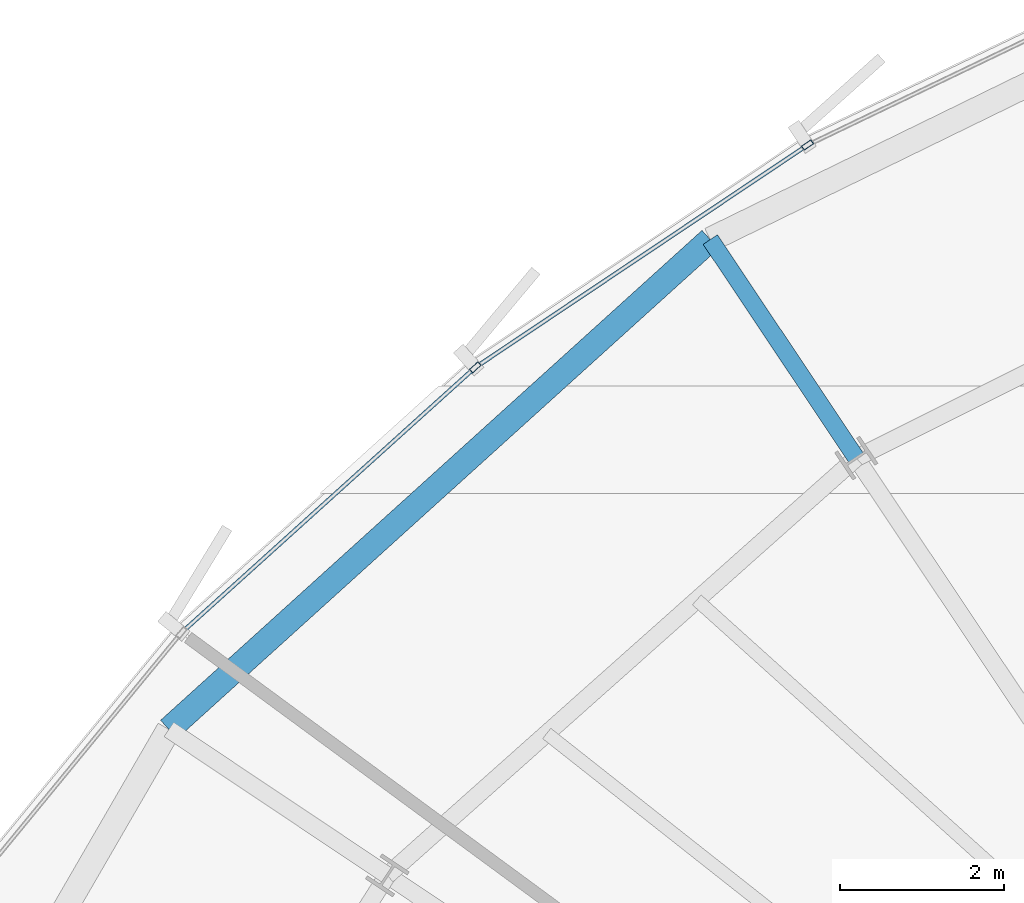
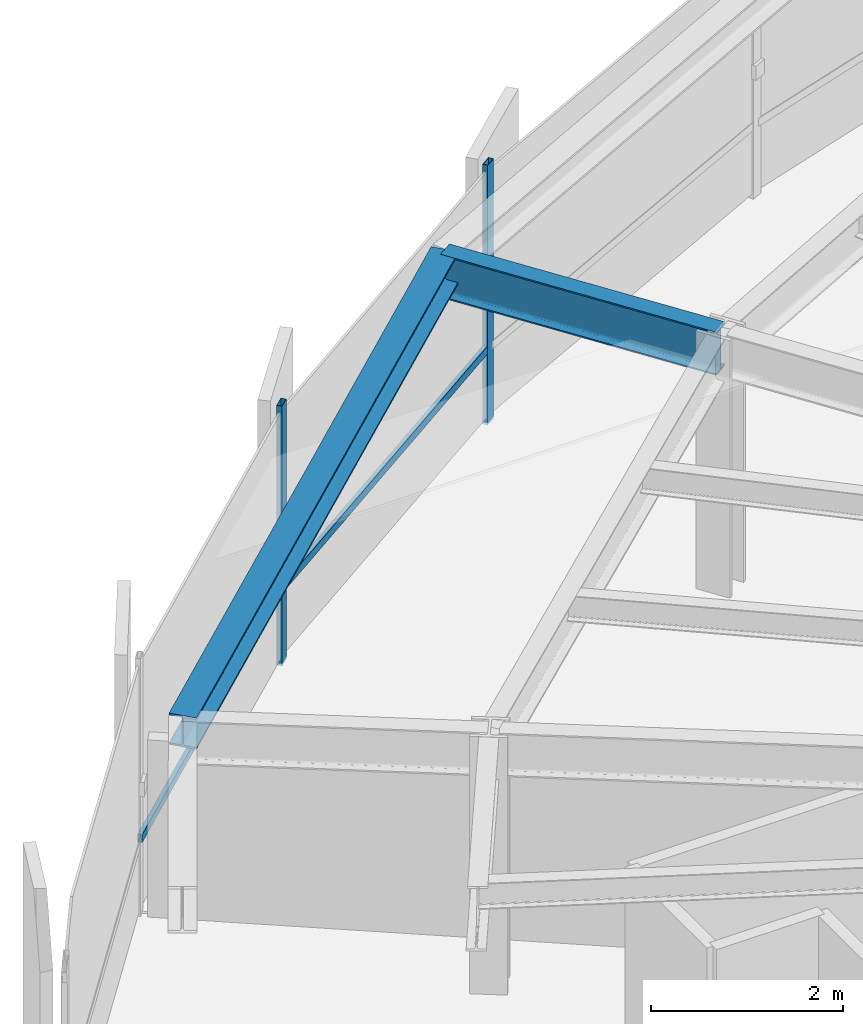
# One storey, part 19 of 34: 4 members, 2 beams, 1 element without a shape of its own.
"""IFC4 building model written with IfcOpenShell, lengths in metres."""

from ifc_helpers import new_model, si_unit, direction, frame, origin, origin_2d, place, context, subcontext, project, spatial, hollow_rectangle, i_section, extrude, source, transform, mapped, material, layer, layer_set, material_profile, profile_set, type_object, element, aggregate, save


model = new_model("IFC4")

# Units and contexts
model_context = context("Model", 3, precision=1e-05, world=origin(), true_north=direction((0.0, 1.0)))
body_context = subcontext(model_context, "Body", "Model", "MODEL_VIEW")
ifc_project = project(units=[si_unit("LENGTHUNIT", "METRE"), si_unit("AREAUNIT", "SQUARE_METRE"), si_unit("VOLUMEUNIT", "CUBIC_METRE"), si_unit("PLANEANGLEUNIT", "RADIAN"), si_unit("MASSUNIT", "GRAM", prefix="KILO"), si_unit("THERMODYNAMICTEMPERATUREUNIT", "KELVIN")], contexts=[model_context])

# Site, building, storey
site_placement = place(None, origin())
site = spatial("IfcSite", under=ifc_project, at=site_placement, CompositionType="ELEMENT")
building_placement = place(site_placement, origin())
building = spatial("IfcBuilding", under=site, at=building_placement, Name="Kethvar Cultural Tower", CompositionType="ELEMENT")
storey_placement = place(building_placement, frame((0.0, 0.0, 153.64990234375)))
storey = spatial("IfcBuildingStorey", under=building, at=storey_placement, Name="L39", CompositionType="ELEMENT", Elevation=153.64990234375)

# Beams
ifc_material_1 = material(Name="Steel S355J2", Category="steel")
ifc_material_profile_1 = material_profile(ifc_material_1, i_section(OverallWidth=0.2099609375, OverallDepth=0.550048828125, WebThickness=0.010986328125, FlangeThickness=0.01708984375, FilletRadius=0.02392578125, at=origin_2d()), Name="Steel S355J2 — IPE550")
ifc_profile_set_1 = profile_set([ifc_material_profile_1], Name="Steel S355J2 — IPE550")
beam_type_1 = type_object("IfcBeamType", Name="BM-IPE550", PredefinedType="BEAM", material=ifc_profile_set_1)
shared_shape_1 = source(origin(), body_context, "Body", "SweptSolid", [
    extrude(i_section(OverallWidth=0.2099609375, OverallDepth=0.550048828125, WebThickness=0.010986328125, FlangeThickness=0.01708984375, FilletRadius=0.02392578125, at=origin_2d()), origin(), (0.0, 0.0, 1.0), 3.2001953125),
])
beam_1_placement = place(storey_placement, frame((36.0576171875, 43.877197265625, 3.023193359375), z_axis=(-0.555544970406, 0.831486491686, 0.0), x_axis=(-0.831486491686, -0.555544970406, 0.0)))
element("IfcBeam", 1, at=beam_1_placement, inside=storey, type_object=beam_type_1, Name="L39 Perimeter Cantilever Beam RC-06", PredefinedType="BEAM", context=body_context, shape_type="MappedRepresentation", body=[
    mapped(shared_shape_1, transform((0.0, 0.0, 0.0), scale=1.0)),
])
ifc_material_profile_2 = material_profile(ifc_material_1, i_section(OverallWidth=0.300048828125, OverallDepth=0.39990234375, WebThickness=0.013427734375, FlangeThickness=0.02392578125, FilletRadius=0.027099609375, at=origin_2d()), Name="Steel S355J2 — HEB400")
ifc_profile_set_2 = profile_set([ifc_material_profile_2], Name="Steel S355J2 — HEB400")
beam_type_2 = type_object("IfcBeamType", Name="BM-SP400", PredefinedType="SPANDREL", material=ifc_profile_set_2)
shared_shape_2 = source(origin(), body_context, "Body", "SweptSolid", [
    extrude(i_section(OverallWidth=0.300048828125, OverallDepth=0.39990234375, WebThickness=0.013427734375, FlangeThickness=0.02392578125, FilletRadius=0.027099609375, at=origin_2d()), origin(), (0.0, 0.0, 1.0), 8.892822265625),
])
beam_2_placement = place(storey_placement, frame((34.27978515625, 46.5380859375, 3.09814453125), z_axis=(-0.741556591679, -0.670890319901, 0.0), x_axis=(0.670890319901, -0.741556591679, 0.0)))
element("IfcBeam", 2, at=beam_2_placement, inside=storey, type_object=beam_type_2, Name="L39 Perimeter Spandrel Beam SP-06", PredefinedType="SPANDREL", context=body_context, shape_type="MappedRepresentation", body=[
    mapped(shared_shape_2, transform((0.0, 0.0, 0.0), scale=1.0)),
])

# Curtain wall, members
ifc_material_2 = material(Name="Aluminium 6063-T6", Category="aluminium")
ifc_layer = layer(ifc_material_2, 0.179931640625, Name="Aluminium 6063-T6", Category="aluminium")
ifc_layer_set = layer_set([ifc_layer], Name="Aluminium 6063-T6 (180 mm)")
curtain_wall_type = type_object("IfcCurtainWallType", Name="CW-SYS-04-Z34", PredefinedType="NOTDEFINED", material=ifc_layer_set)
curtain_wall_placement = place(storey_placement, origin())
curtain_wall = element("IfcCurtainWall", 3, at=curtain_wall_placement, inside=storey, type_object=curtain_wall_type, Name="L39 Curtain Wall Run 02", PredefinedType="NOTDEFINED")
ifc_material_profile_3 = material_profile(ifc_material_2, hollow_rectangle(XDim=0.06005859375, YDim=0.139892578125, WallThickness=0.0048828125, at=origin_2d()), Name="Aluminium 6063-T6 — RHS140x60x5")
ifc_profile_set_3 = profile_set([ifc_material_profile_3], Name="Aluminium 6063-T6 — RHS140x60x5")
member_type_1 = type_object("IfcMemberType", Name="CW-SYS-04-Z34-MUL", PredefinedType="MULLION", material=ifc_profile_set_3)
shared_shape_3 = source(origin(), body_context, "Body", "SweptSolid", [
    extrude(hollow_rectangle(XDim=0.06005859375, YDim=0.139892578125, WallThickness=0.0048828125, at=origin_2d()), origin(), (0.0, 0.0, 1.0), 3.300048828125),
])
member_1_placement = place(storey_placement, frame((35.464111328125, 47.689697265625, 0.0), z_axis=(0.0, 0.0, 1.0), x_axis=(0.556324621991, -0.830965050388, 0.0)))
member_1 = element("IfcMember", 4, at=member_1_placement, type_object=member_type_1, Name="CW-L39-R02 Mullion 4", PredefinedType="MULLION", context=body_context, shape_type="MappedRepresentation", body=[
    mapped(shared_shape_3, transform((0.0, 0.0, 0.0), scale=1.0)),
])
member_2_placement = place(storey_placement, frame((31.41748046875, 44.981689453125, 0.0), z_axis=(0.0, 0.0, 1.0), x_axis=(0.670271205199, -0.742116238524, 0.0)))
member_2 = element("IfcMember", 5, at=member_2_placement, type_object=member_type_1, Name="CW-L39-R02 Mullion 5", PredefinedType="MULLION", context=body_context, shape_type="MappedRepresentation", body=[
    mapped(shared_shape_3, transform((0.0, 0.0, 0.0), scale=1.0)),
])
ifc_material_profile_4 = material_profile(ifc_material_2, hollow_rectangle(XDim=0.050048828125, YDim=0.10009765625, WallThickness=0.00390625, at=origin_2d()), Name="Aluminium 6063-T6 — RHS100x50x4")
ifc_profile_set_4 = profile_set([ifc_material_profile_4], Name="Aluminium 6063-T6 — RHS100x50x4")
member_type_2 = type_object("IfcMemberType", Name="CW-SYS-04-Z34-TRN", PredefinedType="USERDEFINED", material=ifc_profile_set_4)
shared_shape_4 = source(origin(), body_context, "Body", "SweptSolid", [
    extrude(hollow_rectangle(XDim=0.050048828125, YDim=0.10009765625, WallThickness=0.00390625, at=origin_2d()), origin(), (0.0, 0.0, 1.0), 4.798583984375),
])
member_3_placement = place(storey_placement, frame((35.42822265625, 47.66552734375, 0.9501953125), z_axis=(-0.830944978874, -0.556354601028, 0.0), x_axis=(0.556354601028, -0.830944978874, 0.0)))
member_3 = element("IfcMember", 6, at=member_3_placement, type_object=member_type_2, Name="CW-L39-R02 Transom 4", ObjectType="TRANSOM", PredefinedType="USERDEFINED", context=body_context, shape_type="MappedRepresentation", body=[
    mapped(shared_shape_4, transform((0.0, 0.0, 0.0), scale=1.0)),
])
shared_shape_5 = source(origin(), body_context, "Body", "SweptSolid", [
    extrude(hollow_rectangle(XDim=0.050048828125, YDim=0.10009765625, WallThickness=0.00390625, at=origin_2d()), origin(), (0.0, 0.0, 1.0), 4.750732421875),
])
member_4_placement = place(storey_placement, frame((31.385498046875, 44.95263671875, 0.9501953125), z_axis=(-0.742115011432, -0.670272563818, 0.0), x_axis=(0.670272563818, -0.742115011432, 0.0)))
member_4 = element("IfcMember", 7, at=member_4_placement, type_object=member_type_2, Name="CW-L39-R02 Transom 5", ObjectType="TRANSOM", PredefinedType="USERDEFINED", context=body_context, shape_type="MappedRepresentation", body=[
    mapped(shared_shape_5, transform((0.0, 0.0, 0.0), scale=1.0)),
])
aggregate(curtain_wall, [member_1, member_2, member_3, member_4])

save(model, "model.ifc")
